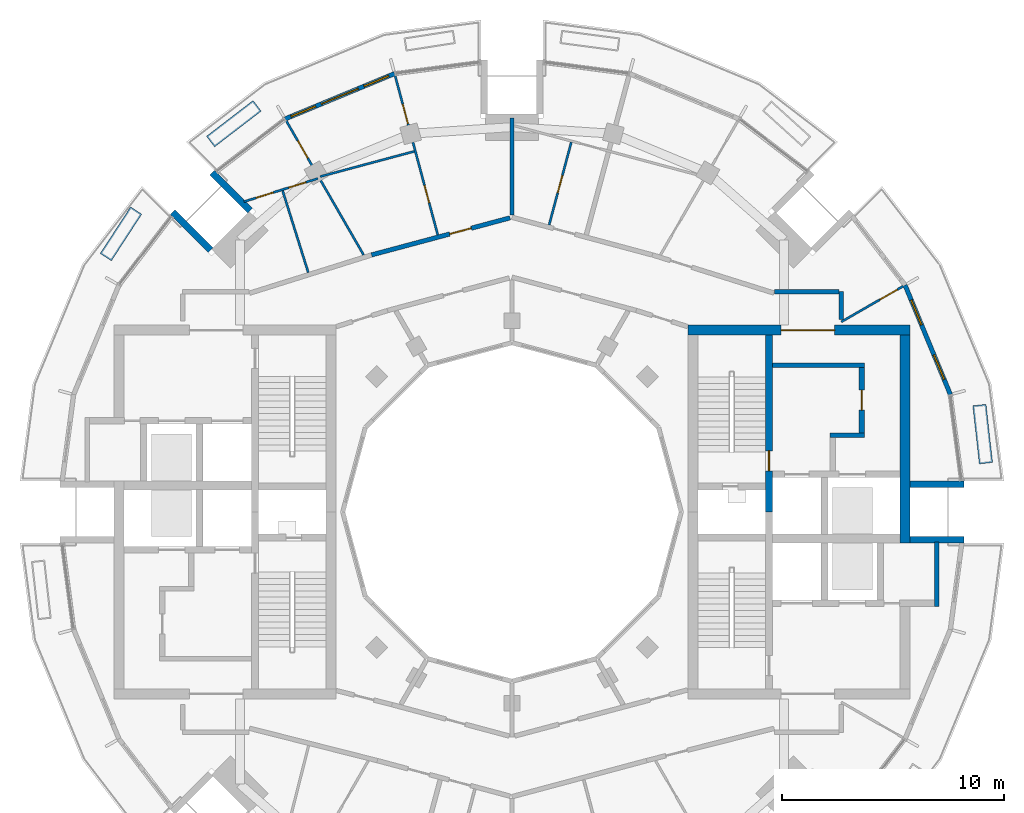
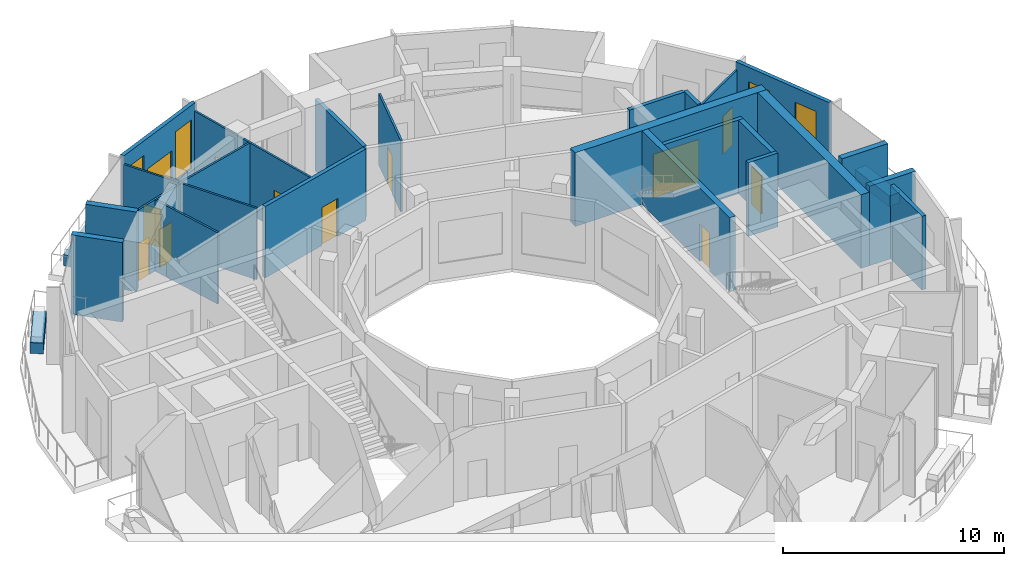
# One storey, part 11 of 15: 27 walls, 12 doors, 4 windows, 16 openings.
"""IFC4 building model written with IfcOpenShell, lengths in metres."""

from ifc_helpers import new_model, si_unit, direction, frame, frame_2d, origin, place, context, subcontext, project, spatial, rectangle, extrude, material, layer, layer_set, type_object, element, fill, save


model = new_model("IFC4")

# Units and contexts
model_context = context("Model", 3, precision=1e-05, world=origin(), true_north=direction((0.0, 1.0)))
body_context = subcontext(model_context, "Body", "Model", "MODEL_VIEW")
ifc_project = project(units=[si_unit("LENGTHUNIT", "METRE"), si_unit("AREAUNIT", "SQUARE_METRE"), si_unit("VOLUMEUNIT", "CUBIC_METRE"), si_unit("PLANEANGLEUNIT", "RADIAN"), si_unit("MASSUNIT", "GRAM", prefix="KILO")], contexts=[model_context])

# Site, building, storey
site_placement = place(None, origin())
site = spatial("IfcSite", under=ifc_project, at=site_placement, CompositionType="ELEMENT")
building_placement = place(site_placement, origin())
building = spatial("IfcBuilding", under=site, at=building_placement, Name="Torre Brocal", CompositionType="ELEMENT")
storey_placement = place(building_placement, frame((0.0, 0.0, 314.89990234375)))
storey = spatial("IfcBuildingStorey", under=building, at=storey_placement, Name="L72", CompositionType="ELEMENT", Elevation=314.89990234375)

# Walls
ifc_material_1 = material(Name="Masonry block", Category="masonry")
ifc_layer_1 = layer(ifc_material_1, 0.199951171875)
ifc_layer_set_1 = layer_set([ifc_layer_1], Name="Masonry block")
wall_type_1 = type_object("IfcWallType", Name="CORE PARTITION 200", PredefinedType="PARTITIONING", material=ifc_layer_set_1)
wall_1_placement = place(storey_placement, frame((99.10009765625, 70.75, 0.0), z_axis=(0.0, 0.0, 1.0), x_axis=(0.0, 1.0, 0.0)))
element("IfcWall", 1, at=wall_1_placement, inside=storey, type_object=wall_type_1, Name="Wall CP200", PredefinedType="PARTITIONING", context=body_context, shape_type="SweptSolid", body=[
    extrude(rectangle(XDim=2.89990234375, YDim=0.199951171875, at=frame_2d((1.449951171875, 0.0))), origin(), (0.0, 0.0, 1.0), 4.080078125),
])
ifc_material_2 = material(Name="Concrete C50", Category="concrete")
ifc_layer_2 = layer(ifc_material_2, 0.199951171875)
ifc_layer_set_2 = layer_set([ifc_layer_2], Name="Concrete C50")
wall_type_2 = type_object("IfcWallType", Name="CORE WALL 200 C50", PredefinedType="SHEAR", material=ifc_layer_set_2)
wall_2_placement = place(storey_placement, frame((91.699951171875, 81.60009765625, 0.0), z_axis=(0.0, 0.0, 1.0), x_axis=(1.0, 0.0, 0.0)))
element("IfcWall", 2, at=wall_2_placement, inside=storey, type_object=wall_type_2, Name="Wall CW200-50", PredefinedType="SHEAR", context=body_context, shape_type="SweptSolid", body=[
    extrude(rectangle(XDim=4.150146484375, YDim=0.199951171875, at=frame_2d((2.0751953125, 0.0))), origin(), (0.0, 0.0, 1.0), 4.080078125),
])
wall_3_placement = place(storey_placement, frame((94.300048828125, 78.449951171875, 0.0), z_axis=(0.0, 0.0, 1.0), x_axis=(1.0, 0.0, 0.0)))
element("IfcWall", 3, at=wall_3_placement, inside=storey, type_object=wall_type_2, Name="Wall CW200-50", PredefinedType="SHEAR", context=body_context, shape_type="SweptSolid", body=[
    extrude(rectangle(XDim=1.550048828125, YDim=0.199951171875, at=frame_2d((0.77490234375, 0.0))), origin(), (0.0, 0.0, 1.0), 4.080078125),
])

# Wall, opening, door
ifc_material_3 = material(Name="Concrete C50", Category="concrete")
ifc_layer_3 = layer(ifc_material_3, 0.25)
ifc_layer_set_3 = layer_set([ifc_layer_3], Name="Concrete C50")
wall_type_3 = type_object("IfcWallType", Name="CORE WALL 250 C50", PredefinedType="SHEAR", material=ifc_layer_set_3)
wall_4_placement = place(storey_placement, frame((95.72509765625, 78.550048828125, 0.0), z_axis=(0.0, 0.0, 1.0), x_axis=(0.0, 1.0, 0.0)))
wall_4 = element("IfcWall", 4, at=wall_4_placement, inside=storey, type_object=wall_type_3, Name="Wall CW250-50", PredefinedType="SHEAR", context=body_context, shape_type="SweptSolid", body=[
    extrude(rectangle(XDim=2.949951171875, YDim=0.25, at=frame_2d((1.47509765625, 0.0))), origin(), (0.0, 0.0, 1.0), 4.080078125),
])
opening_1_placement = place(wall_4_placement, frame((1.02490234375, 0.0, 0.0)))
opening_1 = element("IfcOpeningElement", 5, at=opening_1_placement, cuts=wall_4, Name="Opening E-D19", PredefinedType="OPENING", context=body_context, shape_type="SweptSolid", body=[
    extrude(rectangle(XDim=0.89990234375, YDim=2.10009765625, at=frame_2d((0.449951171875, 1.050048828125))), frame((0.0, 0.135009765625, 0.0), z_axis=(0.0, -1.0, 0.0), x_axis=(1.0, 0.0, 0.0)), (0.0, 0.0, 1.0), 0.27001953125),
])
ifc_material_4 = material(Name="Steel A653", Category="steel")
door_type_1 = type_object("IfcDoorType", Name="LOBBY DOOR FD120 900X2100", OperationType="SINGLE_SWING_RIGHT", PredefinedType="DOOR", material=ifc_material_4)
door_1_placement = place(opening_1_placement, origin())
door_1 = element("IfcDoor", 6, at=door_1_placement, inside=storey, type_object=door_type_1, Name="Door E-D19", OperationType="SINGLE_SWING_LEFT", OverallHeight=2.10009765625, OverallWidth=0.89990234375, PredefinedType="DOOR", context=body_context, shape_type="SweptSolid", body=[
    extrude(rectangle(XDim=0.89990234375, YDim=2.10009765625, at=frame_2d((0.449951171875, 1.050048828125))), frame((0.0, 0.02490234375, 0.0), z_axis=(0.0, -1.0, 0.0), x_axis=(1.0, 0.0, 0.0)), (0.0, 0.0, 1.0), 0.050048828125),
])
fill(opening_1, door_1)

ifc_material_5 = material(Name="Concrete C50", Category="concrete")
ifc_layer_4 = layer(ifc_material_5, 0.300048828125)
ifc_layer_set_4 = layer_set([ifc_layer_4], Name="Concrete C50")
wall_type_4 = type_object("IfcWallType", Name="CORE WALL 300 C50", PredefinedType="SHEAR", material=ifc_layer_set_4)
wall_5_placement = place(storey_placement, frame((91.550048828125, 75.0, 0.0), z_axis=(0.0, 0.0, 1.0), x_axis=(0.0, 1.0, 0.0)))
wall_5 = element("IfcWall", 7, at=wall_5_placement, inside=storey, type_object=wall_type_4, Name="Wall CW300-50", PredefinedType="SHEAR", context=body_context, shape_type="SweptSolid", body=[
    extrude(rectangle(XDim=7.949951171875, YDim=0.300048828125, at=frame_2d((3.97509765625, 0.0))), origin(), (0.0, 0.0, 1.0), 4.080078125),
])
opening_2_placement = place(wall_5_placement, frame((1.85009765625, 0.0, 0.0)))
opening_2 = element("IfcOpeningElement", 8, at=opening_2_placement, cuts=wall_5, Name="Opening E-D02", PredefinedType="OPENING", context=body_context, shape_type="SweptSolid", body=[
    extrude(rectangle(XDim=0.89990234375, YDim=2.10009765625, at=frame_2d((0.449951171875, 1.050048828125))), frame((0.0, 0.159912109375, 0.0), z_axis=(0.0, -1.0, 0.0), x_axis=(1.0, 0.0, 0.0)), (0.0, 0.0, 1.0), 0.320068359375),
])
ifc_material_6 = material(Name="Steel A653", Category="steel")
door_type_2 = type_object("IfcDoorType", Name="STAIR DOOR FD120 900X2100", OperationType="SINGLE_SWING_RIGHT", PredefinedType="DOOR", material=ifc_material_6)
door_2_placement = place(opening_2_placement, origin())
door_2 = element("IfcDoor", 9, at=door_2_placement, inside=storey, type_object=door_type_2, Name="Door E-D02", OperationType="SINGLE_SWING_LEFT", OverallHeight=2.10009765625, OverallWidth=0.89990234375, PredefinedType="DOOR", context=body_context, shape_type="SweptSolid", body=[
    extrude(rectangle(XDim=0.89990234375, YDim=2.10009765625, at=frame_2d((0.449951171875, 1.050048828125))), frame((0.0, 0.02490234375, 0.0), z_axis=(0.0, -1.0, 0.0), x_axis=(1.0, 0.0, 0.0)), (0.0, 0.0, 1.0), 0.050048828125),
])
fill(opening_2, door_2)

ifc_material_7 = material(Name="Concrete C50", Category="concrete")
ifc_layer_5 = layer(ifc_material_7, 0.449951171875)
ifc_layer_set_5 = layer_set([ifc_layer_5], Name="Concrete C50")
wall_type_5 = type_object("IfcWallType", Name="CORE WALL 450 C50", PredefinedType="SHEAR", material=ifc_layer_set_5)
wall_6_placement = place(storey_placement, frame((87.89990234375, 83.175048828125, 0.0), z_axis=(0.0, 0.0, 1.0), x_axis=(1.0, 0.0, 0.0)))
wall_6 = element("IfcWall", 10, at=wall_6_placement, inside=storey, type_object=wall_type_5, Name="Wall CW450-50", PredefinedType="SHEAR", context=body_context, shape_type="SweptSolid", body=[
    extrude(rectangle(XDim=10.0, YDim=0.449951171875, at=frame_2d((5.0, 0.0))), origin(), (0.0, 0.0, 1.0), 4.080078125),
])
opening_3_placement = place(wall_6_placement, frame((4.199951171875, 0.0, 0.0)))
opening_3 = element("IfcOpeningElement", 11, at=opening_3_placement, cuts=wall_6, Name="Opening E-D23", PredefinedType="OPENING", context=body_context, shape_type="SweptSolid", body=[
    extrude(rectangle(XDim=2.39990234375, YDim=2.39990234375, at=frame_2d((1.199951171875, 1.199951171875))), frame((0.0, 0.23486328125, 0.0), z_axis=(0.0, -1.0, 0.0), x_axis=(1.0, 0.0, 0.0)), (0.0, 0.0, 1.0), 0.469970703125),
])
ifc_material_8 = material(Name="Steel A653", Category="steel")
door_type_3 = type_object("IfcDoorType", Name="DOUBLE FIRE DOOR FD90 2400X2400", OperationType="DOUBLE_DOOR_SINGLE_SWING", PredefinedType="DOOR", material=ifc_material_8)
door_3_placement = place(opening_3_placement, frame((2.39990234375, 0.0, 0.0), z_axis=(0.0, 0.0, 1.0), x_axis=(-1.0, 0.0, 0.0)))
door_3 = element("IfcDoor", 12, at=door_3_placement, inside=storey, type_object=door_type_3, Name="Door E-D23", OperationType="DOUBLE_DOOR_SINGLE_SWING", OverallHeight=2.39990234375, OverallWidth=2.39990234375, PredefinedType="DOOR", context=body_context, shape_type="SweptSolid", body=[
    extrude(rectangle(XDim=2.39990234375, YDim=2.39990234375, at=frame_2d((1.199951171875, 1.199951171875))), frame((0.0, 0.02490234375, 0.0), z_axis=(0.0, -1.0, 0.0), x_axis=(1.0, 0.0, 0.0)), (0.0, 0.0, 1.0), 0.050048828125),
])
fill(opening_3, door_3)

# Wall
wall_7_placement = place(storey_placement, frame((97.675048828125, 73.60009765625, 0.0), z_axis=(0.0, 0.0, 1.0), x_axis=(0.0, 1.0, 0.0)))
element("IfcWall", 13, at=wall_7_placement, inside=storey, type_object=wall_type_5, Name="Wall CW450-50", PredefinedType="SHEAR", context=body_context, shape_type="SweptSolid", body=[
    extrude(rectangle(XDim=9.349853515625, YDim=0.449951171875, at=frame_2d((4.6748046875, 0.0))), origin(), (0.0, 0.0, 1.0), 4.080078125),
])

# Wall, openings, windows
ifc_material_9 = material(Name="Concrete C40", Category="concrete")
ifc_layer_6 = layer(ifc_material_9, 0.199951171875)
ifc_layer_set_6 = layer_set([ifc_layer_6], Name="Concrete C40")
wall_type_6 = type_object("IfcWallType", Name="EXTERNAL WALL 200", PredefinedType="NOTDEFINED", material=ifc_layer_set_6)
wall_8_placement = place(storey_placement, frame((99.7041015625, 80.27978515625, 0.0), z_axis=(0.0, 0.0, 1.0), x_axis=(-0.382690574388, 0.923876574156, 0.0)))
wall_8 = element("IfcWall", 14, at=wall_8_placement, inside=storey, type_object=wall_type_6, Name="EXTERNAL WALL", PredefinedType="NOTDEFINED", context=body_context, shape_type="SweptSolid", body=[
    extrude(rectangle(XDim=5.324951171875, YDim=0.199951171875, at=frame_2d((2.66259765625, 0.0))), origin(), (0.0, 0.0, 1.0), 4.400146484375),
])
opening_4_placement = place(wall_8_placement, frame((0.731201171875, 0.0, 0.89990234375)))
opening_4 = element("IfcOpeningElement", 15, at=opening_4_placement, cuts=wall_8, Name="Opening W9", PredefinedType="OPENING", context=body_context, shape_type="SweptSolid", body=[
    extrude(rectangle(XDim=1.199951171875, YDim=2.699951171875, at=frame_2d((0.60009765625, 1.35009765625))), frame((0.0, 0.10986328125, 0.0), z_axis=(0.0, -1.0, 0.0), x_axis=(1.0, 0.0, 0.0)), (0.0, 0.0, 1.0), 0.219970703125),
])
opening_5_placement = place(wall_8_placement, frame((3.39404296875, 0.0, 0.89990234375)))
opening_5 = element("IfcOpeningElement", 16, at=opening_5_placement, cuts=wall_8, Name="Opening W9", PredefinedType="OPENING", context=body_context, shape_type="SweptSolid", body=[
    extrude(rectangle(XDim=1.199951171875, YDim=2.699951171875, at=frame_2d((0.60009765625, 1.35009765625))), frame((0.0, 0.10986328125, 0.0), z_axis=(0.0, -1.0, 0.0), x_axis=(1.0, 0.0, 0.0)), (0.0, 0.0, 1.0), 0.219970703125),
])
ifc_material_10 = material(Name="Aluminium and glass", Category="aluminium")
window_type = type_object("IfcWindowType", Name="PENTHOUSE TERRACE WINDOW 1200X2700", PartitioningType="SINGLE_PANEL", PredefinedType="WINDOW", material=ifc_material_10)
window_1_placement = place(opening_4_placement, origin())
window_1 = element("IfcWindow", 17, at=window_1_placement, inside=storey, type_object=window_type, Name="PENTHOUSE TERRACE WINDOW 1200X2700", OverallHeight=2.699951171875, OverallWidth=1.199951171875, PartitioningType="SINGLE_PANEL", PredefinedType="WINDOW", context=body_context, shape_type="SweptSolid", body=[
    extrude(rectangle(XDim=1.199951171875, YDim=2.699951171875, at=frame_2d((0.60009765625, 1.35009765625))), frame((0.0, 0.030029296875, 0.0), z_axis=(0.0, -1.0, 0.0), x_axis=(1.0, 0.0, 0.0)), (0.0, 0.0, 1.0), 0.06005859375),
])
fill(opening_4, window_1)
window_2_placement = place(opening_5_placement, origin())
window_2 = element("IfcWindow", 18, at=window_2_placement, inside=storey, type_object=window_type, Name="PENTHOUSE TERRACE WINDOW 1200X2700", OverallHeight=2.699951171875, OverallWidth=1.199951171875, PartitioningType="SINGLE_PANEL", PredefinedType="WINDOW", context=body_context, shape_type="SweptSolid", body=[
    extrude(rectangle(XDim=1.199951171875, YDim=2.699951171875, at=frame_2d((0.60009765625, 1.35009765625))), frame((0.0, 0.030029296875, 0.0), z_axis=(0.0, -1.0, 0.0), x_axis=(1.0, 0.0, 0.0)), (0.0, 0.0, 1.0), 0.06005859375),
])
fill(opening_5, window_2)

# Wall, openings, door, windows
wall_9_placement = place(storey_placement, frame((74.72021484375, 94.7041015625, 0.0), z_axis=(0.0, 0.0, 1.0), x_axis=(-0.923876574156, -0.382690574388, 0.0)))
wall_9 = element("IfcWall", 19, at=wall_9_placement, inside=storey, type_object=wall_type_6, Name="EXTERNAL WALL", PredefinedType="NOTDEFINED", context=body_context, shape_type="SweptSolid", body=[
    extrude(rectangle(XDim=5.324951171875, YDim=0.199951171875, at=frame_2d((2.66259765625, 0.0))), origin(), (0.0, 0.0, 1.0), 4.400146484375),
])
opening_6_placement = place(wall_9_placement, frame((0.28759765625, 0.0, 0.89990234375)))
opening_6 = element("IfcOpeningElement", 20, at=opening_6_placement, cuts=wall_9, Name="Opening W9", PredefinedType="OPENING", context=body_context, shape_type="SweptSolid", body=[
    extrude(rectangle(XDim=1.199951171875, YDim=2.699951171875, at=frame_2d((0.60009765625, 1.35009765625))), frame((0.0, 0.10986328125, 0.0), z_axis=(0.0, -1.0, 0.0), x_axis=(1.0, 0.0, 0.0)), (0.0, 0.0, 1.0), 0.219970703125),
])
opening_7_placement = place(wall_9_placement, frame((1.7626953125, 0.0, 0.0)))
opening_7 = element("IfcOpeningElement", 21, at=opening_7_placement, cuts=wall_9, Name="Opening L72-E03", PredefinedType="OPENING", context=body_context, shape_type="SweptSolid", body=[
    extrude(rectangle(XDim=1.800048828125, YDim=2.699951171875, at=frame_2d((0.89990234375, 1.35009765625))), frame((0.0, 0.10986328125, 0.0), z_axis=(0.0, -1.0, 0.0), x_axis=(1.0, 0.0, 0.0)), (0.0, 0.0, 1.0), 0.219970703125),
])
opening_8_placement = place(wall_9_placement, frame((3.837646484375, 0.0, 0.89990234375)))
opening_8 = element("IfcOpeningElement", 22, at=opening_8_placement, cuts=wall_9, Name="Opening W9", PredefinedType="OPENING", context=body_context, shape_type="SweptSolid", body=[
    extrude(rectangle(XDim=1.199951171875, YDim=2.699951171875, at=frame_2d((0.60009765625, 1.35009765625))), frame((0.0, 0.10986328125, 0.0), z_axis=(0.0, -1.0, 0.0), x_axis=(1.0, 0.0, 0.0)), (0.0, 0.0, 1.0), 0.219970703125),
])
ifc_material_11 = material(Name="Aluminium and glass", Category="aluminium")
door_type_4 = type_object("IfcDoorType", Name="PENTHOUSE TERRACE DOUBLE DOOR 1800X2700", OperationType="DOUBLE_DOOR_SINGLE_SWING", PredefinedType="DOOR", material=ifc_material_11)
door_4_placement = place(opening_7_placement, frame((1.800048828125, 0.0, 0.0), z_axis=(0.0, 0.0, 1.0), x_axis=(-1.0, 0.0, 0.0)))
door_4 = element("IfcDoor", 23, at=door_4_placement, inside=storey, type_object=door_type_4, Name="DOOR L72-E03", OperationType="DOUBLE_DOOR_SINGLE_SWING", OverallHeight=2.699951171875, OverallWidth=1.800048828125, PredefinedType="DOOR", context=body_context, shape_type="SweptSolid", body=[
    extrude(rectangle(XDim=1.800048828125, YDim=2.699951171875, at=frame_2d((0.89990234375, 1.35009765625))), frame((0.0, 0.02490234375, 0.0), z_axis=(0.0, -1.0, 0.0), x_axis=(1.0, 0.0, 0.0)), (0.0, 0.0, 1.0), 0.050048828125),
])
fill(opening_7, door_4)
window_3_placement = place(opening_6_placement, origin())
window_3 = element("IfcWindow", 24, at=window_3_placement, inside=storey, type_object=window_type, Name="PENTHOUSE TERRACE WINDOW 1200X2700", OverallHeight=2.699951171875, OverallWidth=1.199951171875, PartitioningType="SINGLE_PANEL", PredefinedType="WINDOW", context=body_context, shape_type="SweptSolid", body=[
    extrude(rectangle(XDim=1.199951171875, YDim=2.699951171875, at=frame_2d((0.60009765625, 1.35009765625))), frame((0.0, 0.030029296875, 0.0), z_axis=(0.0, -1.0, 0.0), x_axis=(1.0, 0.0, 0.0)), (0.0, 0.0, 1.0), 0.06005859375),
])
fill(opening_6, window_3)
window_4_placement = place(opening_8_placement, origin())
window_4 = element("IfcWindow", 25, at=window_4_placement, inside=storey, type_object=window_type, Name="PENTHOUSE TERRACE WINDOW 1200X2700", OverallHeight=2.699951171875, OverallWidth=1.199951171875, PartitioningType="SINGLE_PANEL", PredefinedType="WINDOW", context=body_context, shape_type="SweptSolid", body=[
    extrude(rectangle(XDim=1.199951171875, YDim=2.699951171875, at=frame_2d((0.60009765625, 1.35009765625))), frame((0.0, 0.030029296875, 0.0), z_axis=(0.0, -1.0, 0.0), x_axis=(1.0, 0.0, 0.0)), (0.0, 0.0, 1.0), 0.06005859375),
])
fill(opening_8, window_4)

# Walls
ifc_material_12 = material(Name="Concrete C50", Category="concrete")
ifc_layer_7 = layer(ifc_material_12, 0.300048828125)
ifc_layer_set_7 = layer_set([ifc_layer_7], Name="Concrete C50")
wall_type_7 = type_object("IfcWallType", Name="NOTCH RETURN WALL 300 C50", PredefinedType="NOTDEFINED", material=ifc_layer_set_7)
for number, where, z_axis, x_axis, name in (
    (26, (97.89990234375, 73.75, 0.0), (0.0, 0.0, 1.0), (1.0, 0.0, 0.0), "NOTCH RETURN WALL"),
    (27, (97.89990234375, 76.25, 0.0), (0.0, 0.0, 1.0), (1.0, 0.0, 0.0), "NOTCH RETURN WALL"),
    (28, (68.2265625, 88.541015625, 0.0), (0.0, 0.0, 1.0), (-0.707056246487, 0.707157312274, 0.0), "NOTCH RETURN WALL"),
    (29, (66.458984375, 86.7734375, 0.0), (0.0, 0.0, 1.0), (-0.707157312274, 0.707056246487, 0.0), "NOTCH RETURN WALL"),
):
    element("IfcWall", number, at=place(storey_placement, frame(where, z_axis=z_axis, x_axis=x_axis)), inside=storey, type_object=wall_type_7, Name=name, PredefinedType="NOTDEFINED", context=body_context, shape_type="SweptSolid", body=[
        extrude(rectangle(XDim=2.415771484375, YDim=0.300048828125, at=frame_2d((1.2080078125, 0.0))), origin(), (0.0, 0.0, 1.0), 4.400146484375),
    ])

# Wall, openings, doors
ifc_material_13 = material(Name="Gypsum board", Category="Gypsum")
ifc_layer_8 = layer(ifc_material_13, 0.10009765625)
ifc_layer_set_8 = layer_set([ifc_layer_8], Name="Gypsum board")
wall_type_8 = type_object("IfcWallType", Name="PARTITION 100", PredefinedType="PARTITIONING", material=ifc_layer_set_8)
wall_10_placement = place(storey_placement, frame((67.9541015625, 88.947509765625, 0.0), z_axis=(0.0, 0.0, 1.0), x_axis=(0.954122535632, 0.299416410704, 0.0)))
wall_10 = element("IfcWall", 30, at=wall_10_placement, inside=storey, type_object=wall_type_8, Name="BATHROOM WALL", PredefinedType="PARTITIONING", context=body_context, shape_type="SweptSolid", body=[
    extrude(rectangle(XDim=3.482421875, YDim=0.10009765625, at=frame_2d((1.7412109375, 0.0))), origin(), (0.0, 0.0, 1.0), 3.9501953125),
])
opening_9_placement = place(wall_10_placement, frame((0.5712890625, 0.0, 0.0)))
opening_9 = element("IfcOpeningElement", 31, at=opening_9_placement, cuts=wall_10, Name="Opening N05-D12", PredefinedType="OPENING", context=body_context, shape_type="SweptSolid", body=[
    extrude(rectangle(XDim=0.800048828125, YDim=2.10009765625, at=frame_2d((0.39990234375, 1.050048828125))), frame((0.0, 0.06005859375, 0.0), z_axis=(0.0, -1.0, 0.0), x_axis=(1.0, 0.0, 0.0)), (0.0, 0.0, 1.0), 0.1201171875),
])
opening_10_placement = place(wall_10_placement, frame((2.11376953125, 0.0, 0.0)))
opening_10 = element("IfcOpeningElement", 32, at=opening_10_placement, cuts=wall_10, Name="Opening N05-D13", PredefinedType="OPENING", context=body_context, shape_type="SweptSolid", body=[
    extrude(rectangle(XDim=0.800048828125, YDim=2.10009765625, at=frame_2d((0.39990234375, 1.050048828125))), frame((0.0, 0.06005859375, 0.0), z_axis=(0.0, -1.0, 0.0), x_axis=(1.0, 0.0, 0.0)), (0.0, 0.0, 1.0), 0.1201171875),
])
ifc_material_14 = material(Name="Timber", Category="wood")
door_type_5 = type_object("IfcDoorType", Name="BATHROOM DOOR 800X2100", OperationType="SINGLE_SWING_LEFT", PredefinedType="DOOR", material=ifc_material_14)
door_5_placement = place(opening_9_placement, frame((0.800048828125, 0.0, 0.0), z_axis=(0.0, 0.0, 1.0), x_axis=(-1.0, 0.0, 0.0)))
door_5 = element("IfcDoor", 33, at=door_5_placement, inside=storey, type_object=door_type_5, Name="N05-D12", OperationType="SINGLE_SWING_RIGHT", OverallHeight=2.10009765625, OverallWidth=0.800048828125, PredefinedType="DOOR", context=body_context, shape_type="SweptSolid", body=[
    extrude(rectangle(XDim=0.800048828125, YDim=2.10009765625, at=frame_2d((0.39990234375, 1.050048828125))), frame((0.0, 0.02490234375, 0.0), z_axis=(0.0, -1.0, 0.0), x_axis=(1.0, 0.0, 0.0)), (0.0, 0.0, 1.0), 0.050048828125),
])
fill(opening_9, door_5)
door_6_placement = place(opening_10_placement, frame((0.800048828125, 0.0, 0.0), z_axis=(0.0, 0.0, 1.0), x_axis=(-1.0, 0.0, 0.0)))
door_6 = element("IfcDoor", 34, at=door_6_placement, inside=storey, type_object=door_type_5, Name="N05-D13", OperationType="SINGLE_SWING_RIGHT", OverallHeight=2.10009765625, OverallWidth=0.800048828125, PredefinedType="DOOR", context=body_context, shape_type="SweptSolid", body=[
    extrude(rectangle(XDim=0.800048828125, YDim=2.10009765625, at=frame_2d((0.39990234375, 1.050048828125))), frame((0.0, 0.02490234375, 0.0), z_axis=(0.0, -1.0, 0.0), x_axis=(1.0, 0.0, 0.0)), (0.0, 0.0, 1.0), 0.050048828125),
])
fill(opening_10, door_6)

# Wall
wall_11_placement = place(storey_placement, frame((69.690185546875, 89.43994140625, 0.0), z_axis=(0.0, 0.0, 1.0), x_axis=(0.299260814267, -0.954171349939, 0.0)))
element("IfcWall", 35, at=wall_11_placement, inside=storey, type_object=wall_type_8, Name="BATHROOM WALL", PredefinedType="PARTITIONING", context=body_context, shape_type="SweptSolid", body=[
    extrude(rectangle(XDim=3.84912109375, YDim=0.10009765625, at=frame_2d((1.924560546875, 0.0))), origin(), (0.0, 0.0, 1.0), 3.9501953125),
])

# Wall, opening, door
wall_12_placement = place(storey_placement, frame((69.85498046875, 92.579345703125, 0.0), z_axis=(0.0, 0.0, 1.0), x_axis=(0.499801463163, -0.866139998742, 0.0)))
wall_12 = element("IfcWall", 36, at=wall_12_placement, inside=storey, type_object=wall_type_8, Name="BATHROOM WALL", PredefinedType="PARTITIONING", context=body_context, shape_type="SweptSolid", body=[
    extrude(rectangle(XDim=6.954833984375, YDim=0.10009765625, at=frame_2d((3.4775390625, 0.0))), origin(), (0.0, 0.0, 1.0), 3.9501953125),
])
opening_11_placement = place(wall_12_placement, frame((1.029296875, 0.0, 0.0)))
opening_11 = element("IfcOpeningElement", 37, at=opening_11_placement, cuts=wall_12, Name="Opening N05-D11", PredefinedType="OPENING", context=body_context, shape_type="SweptSolid", body=[
    extrude(rectangle(XDim=0.89990234375, YDim=2.10009765625, at=frame_2d((0.449951171875, 1.050048828125))), frame((0.0, 0.06005859375, 0.0), z_axis=(0.0, -1.0, 0.0), x_axis=(1.0, 0.0, 0.0)), (0.0, 0.0, 1.0), 0.1201171875),
])
ifc_material_15 = material(Name="Timber", Category="wood")
door_type_6 = type_object("IfcDoorType", Name="ROOM DOOR 900X2100", OperationType="SINGLE_SWING_LEFT", PredefinedType="DOOR", material=ifc_material_15)
door_7_placement = place(opening_11_placement, frame((0.89990234375, 0.0, 0.0), z_axis=(0.0, 0.0, 1.0), x_axis=(-1.0, 0.0, 0.0)))
door_7 = element("IfcDoor", 38, at=door_7_placement, inside=storey, type_object=door_type_6, Name="N05-D11", OperationType="SINGLE_SWING_LEFT", OverallHeight=2.10009765625, OverallWidth=0.89990234375, PredefinedType="DOOR", context=body_context, shape_type="SweptSolid", body=[
    extrude(rectangle(XDim=0.89990234375, YDim=2.10009765625, at=frame_2d((0.449951171875, 1.050048828125))), frame((0.0, 0.02490234375, 0.0), z_axis=(0.0, -1.0, 0.0), x_axis=(1.0, 0.0, 0.0)), (0.0, 0.0, 1.0), 0.050048828125),
])
fill(opening_11, door_7)

# Wall
wall_13_placement = place(storey_placement, frame((71.374755859375, 90.075439453125, 0.0), z_axis=(0.0, 0.0, 1.0), x_axis=(0.965918685896, 0.258845691944, 0.0)))
element("IfcWall", 39, at=wall_13_placement, inside=storey, type_object=wall_type_8, Name="BATHROOM WALL", PredefinedType="PARTITIONING", context=body_context, shape_type="SweptSolid", body=[
    extrude(rectangle(XDim=4.379150390625, YDim=0.10009765625, at=frame_2d((2.189453125, 0.0))), origin(), (0.0, 0.0, 1.0), 3.9501953125),
])

# Wall, openings, doors
wall_14_placement = place(storey_placement, frame((74.7470703125, 94.606689453125, 0.0), z_axis=(0.0, 0.0, 1.0), x_axis=(0.258787180783, -0.965934363745, 0.0)))
wall_14 = element("IfcWall", 40, at=wall_14_placement, inside=storey, type_object=wall_type_8, Name="BATHROOM WALL", PredefinedType="PARTITIONING", context=body_context, shape_type="SweptSolid", body=[
    extrude(rectangle(XDim=7.40380859375, YDim=0.10009765625, at=frame_2d((3.701904296875, 0.0))), origin(), (0.0, 0.0, 1.0), 3.9501953125),
])
opening_12_placement = place(wall_14_placement, frame((1.326904296875, 0.0, 0.0)))
opening_12 = element("IfcOpeningElement", 41, at=opening_12_placement, cuts=wall_14, Name="Opening N05-D09", PredefinedType="OPENING", context=body_context, shape_type="SweptSolid", body=[
    extrude(rectangle(XDim=0.89990234375, YDim=2.10009765625, at=frame_2d((0.449951171875, 1.050048828125))), frame((0.0, 0.06005859375, 0.0), z_axis=(0.0, -1.0, 0.0), x_axis=(1.0, 0.0, 0.0)), (0.0, 0.0, 1.0), 0.1201171875),
])
opening_13_placement = place(wall_14_placement, frame((5.10400390625, 0.0, 0.0)))
opening_13 = element("IfcOpeningElement", 42, at=opening_13_placement, cuts=wall_14, Name="Opening N05-D10", PredefinedType="OPENING", context=body_context, shape_type="SweptSolid", body=[
    extrude(rectangle(XDim=0.800048828125, YDim=2.10009765625, at=frame_2d((0.39990234375, 1.050048828125))), frame((0.0, 0.06005859375, 0.0), z_axis=(0.0, -1.0, 0.0), x_axis=(1.0, 0.0, 0.0)), (0.0, 0.0, 1.0), 0.1201171875),
])
door_8_placement = place(opening_13_placement, frame((0.800048828125, 0.0, 0.0), z_axis=(0.0, 0.0, 1.0), x_axis=(-1.0, 0.0, 0.0)))
door_8 = element("IfcDoor", 43, at=door_8_placement, inside=storey, type_object=door_type_5, Name="N05-D10", OperationType="SINGLE_SWING_RIGHT", OverallHeight=2.10009765625, OverallWidth=0.800048828125, PredefinedType="DOOR", context=body_context, shape_type="SweptSolid", body=[
    extrude(rectangle(XDim=0.800048828125, YDim=2.10009765625, at=frame_2d((0.39990234375, 1.050048828125))), frame((0.0, 0.02490234375, 0.0), z_axis=(0.0, -1.0, 0.0), x_axis=(1.0, 0.0, 0.0)), (0.0, 0.0, 1.0), 0.050048828125),
])
fill(opening_13, door_8)
door_9_placement = place(opening_12_placement, origin())
door_9 = element("IfcDoor", 44, at=door_9_placement, inside=storey, type_object=door_type_6, Name="N05-D09", OperationType="SINGLE_SWING_LEFT", OverallHeight=2.10009765625, OverallWidth=0.89990234375, PredefinedType="DOOR", context=body_context, shape_type="SweptSolid", body=[
    extrude(rectangle(XDim=0.89990234375, YDim=2.10009765625, at=frame_2d((0.449951171875, 1.050048828125))), frame((0.0, 0.02490234375, 0.0), z_axis=(0.0, -1.0, 0.0), x_axis=(1.0, 0.0, 0.0)), (0.0, 0.0, 1.0), 0.050048828125),
])
fill(opening_12, door_9)

# Wall, opening, door
wall_15_placement = place(storey_placement, frame((81.66796875, 87.902587890625, 0.0), z_axis=(0.0, 0.0, 1.0), x_axis=(0.259020336752, 0.965871867873, 0.0)))
wall_15 = element("IfcWall", 45, at=wall_15_placement, inside=storey, type_object=wall_type_8, Name="BATHROOM WALL", PredefinedType="PARTITIONING", context=body_context, shape_type="SweptSolid", body=[
    extrude(rectangle(XDim=3.849365234375, YDim=0.10009765625, at=frame_2d((1.9248046875, 0.0))), origin(), (0.0, 0.0, 1.0), 3.9501953125),
])
opening_14_placement = place(wall_15_placement, frame((1.499755859375, 0.0, 0.0)))
opening_14 = element("IfcOpeningElement", 46, at=opening_14_placement, cuts=wall_15, Name="Opening N05-D07", PredefinedType="OPENING", context=body_context, shape_type="SweptSolid", body=[
    extrude(rectangle(XDim=0.800048828125, YDim=2.10009765625, at=frame_2d((0.39990234375, 1.050048828125))), frame((0.0, 0.06005859375, 0.0), z_axis=(0.0, -1.0, 0.0), x_axis=(1.0, 0.0, 0.0)), (0.0, 0.0, 1.0), 0.1201171875),
])
door_10_placement = place(opening_14_placement, origin())
door_10 = element("IfcDoor", 47, at=door_10_placement, inside=storey, type_object=door_type_5, Name="N05-D07", OperationType="SINGLE_SWING_LEFT", OverallHeight=2.10009765625, OverallWidth=0.800048828125, PredefinedType="DOOR", context=body_context, shape_type="SweptSolid", body=[
    extrude(rectangle(XDim=0.800048828125, YDim=2.10009765625, at=frame_2d((0.39990234375, 1.050048828125))), frame((0.0, 0.02490234375, 0.0), z_axis=(0.0, -1.0, 0.0), x_axis=(1.0, 0.0, 0.0)), (0.0, 0.0, 1.0), 0.050048828125),
])
fill(opening_14, door_10)

wall_16_placement = place(storey_placement, frame((94.7998046875, 83.545166015625, 0.0), z_axis=(0.0, 0.0, 1.0), x_axis=(0.866141222235, 0.499799342882, 0.0)))
wall_16 = element("IfcWall", 48, at=wall_16_placement, inside=storey, type_object=wall_type_8, Name="ROOM PARTITION", PredefinedType="PARTITIONING", context=body_context, shape_type="SweptSolid", body=[
    extrude(rectangle(XDim=3.206787109375, YDim=0.10009765625, at=frame_2d((1.603515625, 0.0))), origin(), (0.0, 0.0, 1.0), 3.9501953125),
])
opening_15_placement = place(wall_16_placement, frame((2.006591796875, 0.0, 0.0)))
opening_15 = element("IfcOpeningElement", 49, at=opening_15_placement, cuts=wall_16, Name="Opening N05-D04", PredefinedType="OPENING", context=body_context, shape_type="SweptSolid", body=[
    extrude(rectangle(XDim=0.89990234375, YDim=2.10009765625, at=frame_2d((0.449951171875, 1.050048828125))), frame((0.0, 0.06005859375, 0.0), z_axis=(0.0, -1.0, 0.0), x_axis=(1.0, 0.0, 0.0)), (0.0, 0.0, 1.0), 0.1201171875),
])
door_11_placement = place(opening_15_placement, frame((0.89990234375, 0.0, 0.0), z_axis=(0.0, 0.0, 1.0), x_axis=(-1.0, 0.0, 0.0)))
door_11 = element("IfcDoor", 50, at=door_11_placement, inside=storey, type_object=door_type_6, Name="N05-D04", OperationType="SINGLE_SWING_LEFT", OverallHeight=2.10009765625, OverallWidth=0.89990234375, PredefinedType="DOOR", context=body_context, shape_type="SweptSolid", body=[
    extrude(rectangle(XDim=0.89990234375, YDim=2.10009765625, at=frame_2d((0.449951171875, 1.050048828125))), frame((0.0, 0.02490234375, 0.0), z_axis=(0.0, -1.0, 0.0), x_axis=(1.0, 0.0, 0.0)), (0.0, 0.0, 1.0), 0.050048828125),
])
fill(opening_15, door_11)

ifc_material_16 = material(Name="Gypsum board", Category="Gypsum")
ifc_layer_9 = layer(ifc_material_16, 0.199951171875)
ifc_layer_set_9 = layer_set([ifc_layer_9], Name="Gypsum board")
wall_type_9 = type_object("IfcWallType", Name="PARTITION 200 EI60", PredefinedType="PARTITIONING", material=ifc_layer_set_9)
wall_17_placement = place(storey_placement, frame((73.68701171875, 86.55419921875, 0.0), z_axis=(0.0, 0.0, 1.0), x_axis=(0.96595903825, 0.258695064551, 0.0)))
wall_17 = element("IfcWall", 51, at=wall_17_placement, inside=storey, type_object=wall_type_9, Name="FLAT ENTRANCE WALL", PredefinedType="PARTITIONING", context=body_context, shape_type="SweptSolid", body=[
    extrude(rectangle(XDim=6.44580078125, YDim=0.199951171875, at=frame_2d((3.222900390625, 0.0))), origin(), (0.0, 0.0, 1.0), 3.9501953125),
])
opening_16_placement = place(wall_17_placement, frame((3.63818359375, 0.0, 0.0)))
opening_16 = element("IfcOpeningElement", 52, at=opening_16_placement, cuts=wall_17, Name="Opening N05-D08", PredefinedType="OPENING", context=body_context, shape_type="SweptSolid", body=[
    extrude(rectangle(XDim=1.0, YDim=2.10009765625, at=frame_2d((0.5, 1.050048828125))), frame((0.0, 0.10986328125, 0.0), z_axis=(0.0, -1.0, 0.0), x_axis=(1.0, 0.0, 0.0)), (0.0, 0.0, 1.0), 0.219970703125),
])
ifc_material_17 = material(Name="Timber", Category="wood")
door_type_7 = type_object("IfcDoorType", Name="FLAT ENTRY DOOR FD30S 1000X2100", OperationType="SINGLE_SWING_RIGHT", PredefinedType="DOOR", material=ifc_material_17)
door_12_placement = place(opening_16_placement, origin())
door_12 = element("IfcDoor", 53, at=door_12_placement, inside=storey, type_object=door_type_7, Name="N05-D08", OperationType="SINGLE_SWING_LEFT", OverallHeight=2.10009765625, OverallWidth=1.0, PredefinedType="DOOR", context=body_context, shape_type="SweptSolid", body=[
    extrude(rectangle(XDim=1.0, YDim=2.10009765625, at=frame_2d((0.5, 1.050048828125))), frame((0.0, 0.02490234375, 0.0), z_axis=(0.0, -1.0, 0.0), x_axis=(1.0, 0.0, 0.0)), (0.0, 0.0, 1.0), 0.050048828125),
])
fill(opening_16, door_12)

# Walls
wall_18_placement = place(storey_placement, frame((80.0, 88.345947265625, 0.0), z_axis=(0.0, 0.0, 1.0), x_axis=(0.0, 1.0, 0.0)))
element("IfcWall", 54, at=wall_18_placement, inside=storey, type_object=wall_type_9, Name="BATHROOM WALL", PredefinedType="PARTITIONING", context=body_context, shape_type="SweptSolid", body=[
    extrude(rectangle(XDim=4.35400390625, YDim=0.199951171875, at=frame_2d((2.177001953125, 0.0))), origin(), (0.0, 0.0, 1.0), 3.9501953125),
])
wall_19_placement = place(storey_placement, frame((91.800048828125, 84.89990234375, 0.0), z_axis=(0.0, 0.0, 1.0), x_axis=(1.0, 0.0, 0.0)))
element("IfcWall", 55, at=wall_19_placement, inside=storey, type_object=wall_type_9, Name="FLAT ENTRANCE WALL", PredefinedType="PARTITIONING", context=body_context, shape_type="SweptSolid", body=[
    extrude(rectangle(XDim=2.89990234375, YDim=0.199951171875, at=frame_2d((1.449951171875, 0.0))), origin(), (0.0, 0.0, 1.0), 3.9501953125),
])
wall_20_placement = place(storey_placement, frame((94.800048828125, 83.659912109375, 0.0), z_axis=(0.0, 0.0, 1.0), x_axis=(0.0, 1.0, 0.0)))
element("IfcWall", 56, at=wall_20_placement, inside=storey, type_object=wall_type_9, Name="FLAT ENTRANCE WALL", PredefinedType="PARTITIONING", context=body_context, shape_type="SweptSolid", body=[
    extrude(rectangle(XDim=1.239990234375, YDim=0.199951171875, at=frame_2d((0.6201171875, 0.0))), origin(), (0.0, 0.0, 1.0), 3.9501953125),
])
ifc_material_18 = material(Name="Concrete C35", Category="concrete")
ifc_layer_10 = layer(ifc_material_18, 0.60009765625)
ifc_layer_set_10 = layer_set([ifc_layer_10], Name="Concrete C35")
wall_type_10 = type_object("IfcWallType", Name="PLANTER WALL 600 THICK 600 HIGH 12", PredefinedType="USERDEFINED", material=ifc_layer_set_10)
wall_21_placement = place(storey_placement, frame((101.3017578125, 77.193115234375, 0.0), z_axis=(0.0, 0.0, 1.0), x_axis=(-0.1110526499, 0.993814524421, 0.0)))
element("IfcWall", 57, at=wall_21_placement, inside=storey, type_object=wall_type_10, Name="PLANTER", ObjectType="PLANTER", PredefinedType="USERDEFINED", context=body_context, shape_type="SweptSolid", body=[
    extrude(rectangle(XDim=2.631591796875, YDim=0.60009765625, at=frame_2d((1.31591796875, 0.0))), origin(), (0.0, 0.0, 1.0), 0.60009765625),
])
wall_22_placement = place(storey_placement, frame((68.5439453125, 93.256103515625, 0.0), z_axis=(0.0, 0.0, 1.0), x_axis=(-0.793376894156, -0.608730731785, 0.0)))
element("IfcWall", 58, at=wall_22_placement, inside=storey, type_object=wall_type_10, Name="PLANTER", ObjectType="PLANTER", PredefinedType="USERDEFINED", context=body_context, shape_type="SweptSolid", body=[
    extrude(rectangle(XDim=2.6376953125, YDim=0.60009765625, at=frame_2d((1.31884765625, 0.0))), origin(), (0.0, 0.0, 1.0), 0.60009765625),
])
wall_23_placement = place(storey_placement, frame((63.106201171875, 88.548828125, 0.0), z_axis=(0.0, 0.0, 1.0), x_axis=(-0.545551817612, -0.838077093292, 0.0)))
element("IfcWall", 59, at=wall_23_placement, inside=storey, type_object=wall_type_10, Name="PLANTER", ObjectType="PLANTER", PredefinedType="USERDEFINED", context=body_context, shape_type="SweptSolid", body=[
    extrude(rectangle(XDim=2.4970703125, YDim=0.60009765625, at=frame_2d((1.24853515625, 0.0))), origin(), (0.0, 0.0, 1.0), 0.60009765625),
])

save(model, "model.ifc")
